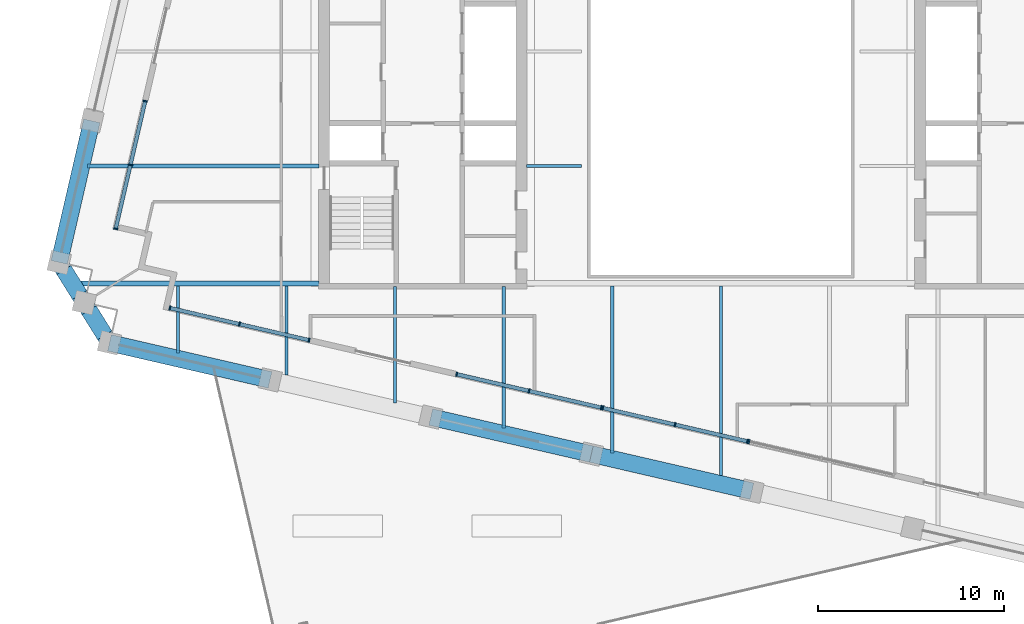
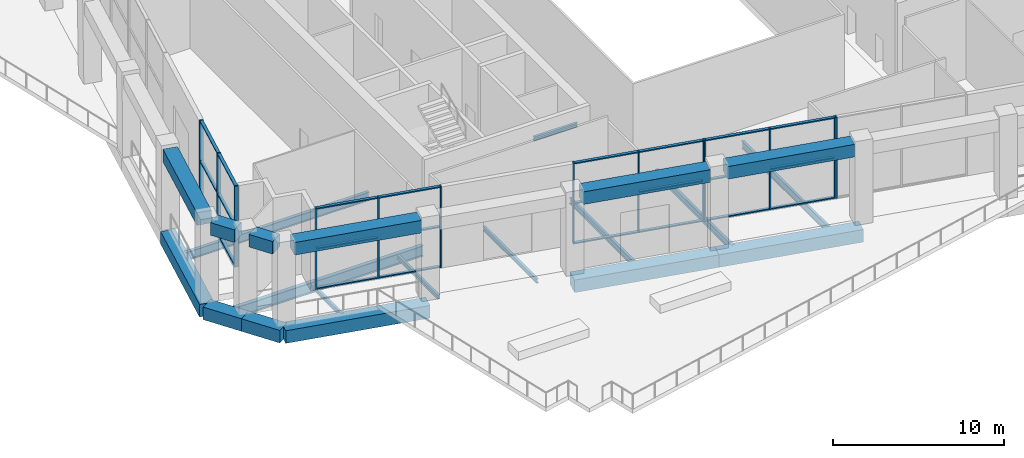
# One storey, part 2 of 21: 37 members, 21 beams, 5 elements without a shape of their own.
"""IFC4 building model written with IfcOpenShell, lengths in metres."""

from ifc_helpers import new_model, si_unit, direction, frame, origin, origin_2d, place, context, subcontext, project, spatial, rectangle, i_section, extrude, material, material_profile, profile_set, type_object, element, aggregate, save


model = new_model("IFC4")

# Units and contexts
model_context = context("Model", 3, precision=1e-05, world=origin(), true_north=direction((0.0, 1.0)))
body_context = subcontext(model_context, "Body", "Model", "MODEL_VIEW")
ifc_project = project(units=[si_unit("LENGTHUNIT", "METRE"), si_unit("AREAUNIT", "SQUARE_METRE"), si_unit("VOLUMEUNIT", "CUBIC_METRE"), si_unit("PLANEANGLEUNIT", "RADIAN"), si_unit("MASSUNIT", "GRAM", prefix="KILO")], contexts=[model_context])

# Site, building, storey
site_placement = place(None, origin())
site = spatial("IfcSite", under=ifc_project, at=site_placement, CompositionType="ELEMENT")
building_placement = place(site_placement, origin())
building = spatial("IfcBuilding", under=site, at=building_placement, Name="Ogive Exchange Tower", CompositionType="ELEMENT")
storey_placement = place(building_placement, frame((0.0, 0.0, 237.0)))
storey = spatial("IfcBuildingStorey", under=building, at=storey_placement, Name="L51", CompositionType="ELEMENT", Elevation=237.0)

# Beams
ifc_material_1 = material(Name="Steel ASTM A992 Gr50", Category="steel")
ifc_material_profile_1 = material_profile(ifc_material_1, i_section(OverallWidth=0.1650390625, OverallDepth=0.31005859375, WebThickness=0.005859375, FlangeThickness=0.009765625, at=origin_2d()), Name="W310x38.7")
ifc_profile_set_1 = profile_set([ifc_material_profile_1], Name="Steel ASTM A992 Gr50")
beam_type_1 = type_object("IfcBeamType", Name="Floor beam W310x38.7", PredefinedType="JOIST", material=ifc_profile_set_1)
beam_1_placement = place(storey_placement, frame((-10.419921875, 3.8583984375, -0.60498046875), z_axis=(1.0, 0.0, 0.0), x_axis=(0.0, 1.0, 0.0)))
element("IfcBeam", 1, at=beam_1_placement, inside=storey, type_object=beam_type_1, Name="Floor beam", PredefinedType="JOIST", context=body_context, shape_type="SweptSolid", body=[
    extrude(i_section(OverallWidth=0.1650390625, OverallDepth=0.31005859375, WebThickness=0.005859375, FlangeThickness=0.009765625, at=origin_2d()), origin(), (0.0, 0.0, 1.0), 2.949951171875),
])
beam_2_placement = place(storey_placement, frame((-29.14892578125, -6.17138671875, -0.60498046875), z_axis=(0.0, 1.0, 0.0), x_axis=(-1.0, 0.0, 0.0)))
element("IfcBeam", 2, at=beam_2_placement, inside=storey, type_object=beam_type_1, Name="Floor beam", PredefinedType="JOIST", context=body_context, shape_type="SweptSolid", body=[
    extrude(i_section(OverallWidth=0.1650390625, OverallDepth=0.31005859375, WebThickness=0.005859375, FlangeThickness=0.009765625, at=origin_2d()), origin(), (0.0, 0.0, 1.0), 3.5927734375),
])
beam_3_placement = place(storey_placement, frame((-23.319091796875, -7.3671875, -0.60498046875), z_axis=(0.0, 1.0, 0.0), x_axis=(-1.0, 0.0, 0.0)))
element("IfcBeam", 3, at=beam_3_placement, inside=storey, type_object=beam_type_1, Name="Floor beam", PredefinedType="JOIST", context=body_context, shape_type="SweptSolid", body=[
    extrude(i_section(OverallWidth=0.1650390625, OverallDepth=0.31005859375, WebThickness=0.005859375, FlangeThickness=0.009765625, at=origin_2d()), origin(), (0.0, 0.0, 1.0), 4.78857421875),
])
beam_4_placement = place(storey_placement, frame((-17.489501953125, -8.86328125, -0.60498046875), z_axis=(0.0, 1.0, 0.0), x_axis=(-1.0, 0.0, 0.0)))
element("IfcBeam", 4, at=beam_4_placement, inside=storey, type_object=beam_type_1, Name="Floor beam", PredefinedType="JOIST", context=body_context, shape_type="SweptSolid", body=[
    extrude(i_section(OverallWidth=0.1650390625, OverallDepth=0.31005859375, WebThickness=0.005859375, FlangeThickness=0.009765625, at=origin_2d()), origin(), (0.0, 0.0, 1.0), 6.26318359375),
])
ifc_material_profile_2 = material_profile(ifc_material_1, i_section(OverallWidth=0.177978515625, OverallDepth=0.406005859375, WebThickness=0.0078125, FlangeThickness=0.0126953125, at=origin_2d()), Name="W410x60")
ifc_profile_set_2 = profile_set([ifc_material_profile_2], Name="Steel ASTM A992 Gr50")
beam_type_2 = type_object("IfcBeamType", Name="Floor beam W410x60", PredefinedType="JOIST", material=ifc_profile_set_2)
beam_5_placement = place(storey_placement, frame((-11.65966796875, -10.208984375, -0.653076171875), z_axis=(0.0, 1.0, 0.0), x_axis=(-1.0, 0.0, 0.0)))
element("IfcBeam", 5, at=beam_5_placement, inside=storey, type_object=beam_type_2, Name="Floor beam", PredefinedType="JOIST", context=body_context, shape_type="SweptSolid", body=[
    extrude(i_section(OverallWidth=0.177978515625, OverallDepth=0.406005859375, WebThickness=0.0078125, FlangeThickness=0.0126953125, at=origin_2d()), origin(), (0.0, 0.0, 1.0), 7.60888671875),
])
ifc_material_profile_3 = material_profile(ifc_material_1, i_section(OverallWidth=0.19091796875, OverallDepth=0.45703125, WebThickness=0.009033203125, FlangeThickness=0.014404296875, at=origin_2d()), Name="W460x74")
ifc_profile_set_3 = profile_set([ifc_material_profile_3], Name="Steel ASTM A992 Gr50")
beam_type_3 = type_object("IfcBeamType", Name="Floor beam W460x74", PredefinedType="JOIST", material=ifc_profile_set_3)
beam_6_placement = place(storey_placement, frame((-5.829833984375, -11.554931640625, -0.678466796875), z_axis=(0.0, 1.0, 0.0), x_axis=(-1.0, 0.0, 0.0)))
element("IfcBeam", 6, at=beam_6_placement, inside=storey, type_object=beam_type_3, Name="Floor beam", PredefinedType="JOIST", context=body_context, shape_type="SweptSolid", body=[
    extrude(i_section(OverallWidth=0.19091796875, OverallDepth=0.45703125, WebThickness=0.009033203125, FlangeThickness=0.014404296875, at=origin_2d()), origin(), (0.0, 0.0, 1.0), 8.9599609375),
])
ifc_material_profile_4 = material_profile(ifc_material_1, i_section(OverallWidth=0.1669921875, OverallDepth=0.535888671875, WebThickness=0.01025390625, FlangeThickness=0.0166015625, at=origin_2d()), Name="W530x85")
ifc_profile_set_4 = profile_set([ifc_material_profile_4], Name="Steel ASTM A992 Gr50")
beam_type_4 = type_object("IfcBeamType", Name="Floor beam W530x85", PredefinedType="JOIST", material=ifc_profile_set_4)
beam_7_placement = place(storey_placement, frame((0.0, -12.7509765625, -0.718017578125), z_axis=(0.0, 1.0, 0.0), x_axis=(-1.0, 0.0, 0.0)))
element("IfcBeam", 7, at=beam_7_placement, inside=storey, type_object=beam_type_4, Name="Floor beam", PredefinedType="JOIST", context=body_context, shape_type="SweptSolid", body=[
    extrude(i_section(OverallWidth=0.1669921875, OverallDepth=0.535888671875, WebThickness=0.01025390625, FlangeThickness=0.0166015625, at=origin_2d()), origin(), (0.0, 0.0, 1.0), 10.156005859375),
])
ifc_material_profile_5 = material_profile(ifc_material_1, i_section(OverallWidth=0.22802734375, OverallDepth=0.60205078125, WebThickness=0.010498046875, FlangeThickness=0.014892578125, at=origin_2d()), Name="W610x101")
ifc_profile_set_5 = profile_set([ifc_material_profile_5], Name="Steel ASTM A992 Gr50")
beam_type_5 = type_object("IfcBeamType", Name="Floor beam W610x101", PredefinedType="JOIST", material=ifc_profile_set_5)
beam_8_placement = place(storey_placement, frame((-34.011474609375, 3.8583984375, -0.7509765625), z_axis=(1.0, 0.0, 0.0), x_axis=(0.0, 1.0, 0.0)))
element("IfcBeam", 8, at=beam_8_placement, inside=storey, type_object=beam_type_5, Name="Floor beam", PredefinedType="JOIST", context=body_context, shape_type="SweptSolid", body=[
    extrude(i_section(OverallWidth=0.22802734375, OverallDepth=0.60205078125, WebThickness=0.010498046875, FlangeThickness=0.014892578125, at=origin_2d()), origin(), (0.0, 0.0, 1.0), 12.431396484375),
])
ifc_material_profile_6 = material_profile(ifc_material_1, i_section(OverallWidth=0.26708984375, OverallDepth=0.75390625, WebThickness=0.01318359375, FlangeThickness=0.01708984375, at=origin_2d()), Name="W760x147")
ifc_profile_set_6 = profile_set([ifc_material_profile_6], Name="Steel ASTM A992 Gr50")
beam_type_6 = type_object("IfcBeamType", Name="Girder W760x147", PredefinedType="BEAM", material=ifc_profile_set_6)
beam_9_placement = place(storey_placement, frame((-34.43359375, -2.445068359375, -0.826904296875), z_axis=(1.0, 0.0, 0.0), x_axis=(0.0, 1.0, 0.0)))
element("IfcBeam", 9, at=beam_9_placement, inside=storey, type_object=beam_type_6, Name="Header girder", PredefinedType="BEAM", context=body_context, shape_type="SweptSolid", body=[
    extrude(i_section(OverallWidth=0.26708984375, OverallDepth=0.75390625, WebThickness=0.01318359375, FlangeThickness=0.01708984375, at=origin_2d()), origin(), (0.0, 0.0, 1.0), 12.853515625),
])
ifc_material_2 = material(Name="Precast concrete C70/85 (limestone faced)", Category="masonry")
ifc_material_profile_7 = material_profile(ifc_material_2, rectangle(XDim=0.89990234375, YDim=0.89990234375, at=origin_2d()), Name="900 x 900")
ifc_profile_set_7 = profile_set([ifc_material_profile_7], Name="Precast concrete C70/85 (limestone faced)")
beam_type_7 = type_object("IfcBeamType", Name="Precast spandrel 900 x 900 C70/85", PredefinedType="SPANDREL", material=ifc_profile_set_7)
for number, where, z_axis, x_axis, name in (
    (10, (-32.30419921875, -5.7548828125, 5.300048828125), (0.974374818602, -0.224930462307, 0.0), (0.224930462307, 0.974374818602, 0.0), "Spandrel 1"),
    (11, (-15.0576171875, -9.736328125, 5.300048828125), (0.974367949416, -0.224960216819, 0.0), (0.224960216819, 0.974367949416, 0.0), "Spandrel 3"),
    (12, (-6.4345703125, -11.727294921875, 5.300048828125), (0.974374818602, -0.224930462307, 0.0), (0.224930462307, 0.974374818602, 0.0), "Spandrel 4"),
):
    element("IfcBeam", number, at=place(storey_placement, frame(where, z_axis=z_axis, x_axis=x_axis)), inside=storey, type_object=beam_type_7, Name=name, PredefinedType="SPANDREL", context=body_context, shape_type="SweptSolid", body=[
        extrude(rectangle(XDim=0.89990234375, YDim=0.89990234375, at=origin_2d()), origin(), (0.0, 0.0, 1.0), 7.7900390625),
    ])
beam_10_placement = place(storey_placement, frame((-33.865478515625, 5.841552734375, 5.300048828125), z_axis=(-0.22495365579, -0.97436946419, 0.0), x_axis=(0.97436946419, -0.22495365579, 0.0)))
element("IfcBeam", 13, at=beam_10_placement, inside=storey, type_object=beam_type_7, Name="Spandrel 32", PredefinedType="SPANDREL", context=body_context, shape_type="SweptSolid", body=[
    extrude(rectangle(XDim=0.89990234375, YDim=0.89990234375, at=origin_2d()), origin(), (0.0, 0.0, 1.0), 6.81787109375),
])
for number, where, z_axis, x_axis, name in (
    (14, (-35.26513671875, -1.72314453125, 5.300048828125), (0.529902320601, -0.848058683477, 0.0), (0.848058683477, 0.529902320601, 0.0), "Spandrel 33"),
    (15, (-33.916259765625, -3.882080078125, 5.300048828125), (0.529902320601, -0.848058683477, 0.0), (0.848058683477, 0.529902320601, 0.0), "Spandrel 34"),
):
    element("IfcBeam", number, at=place(storey_placement, frame(where, z_axis=z_axis, x_axis=x_axis)), inside=storey, type_object=beam_type_7, Name=name, PredefinedType="SPANDREL", context=body_context, shape_type="SweptSolid", body=[
        extrude(rectangle(XDim=0.89990234375, YDim=0.89990234375, at=origin_2d()), origin(), (0.0, 0.0, 1.0), 1.590087890625),
    ])
ifc_material_profile_8 = material_profile(ifc_material_2, rectangle(XDim=0.89990234375, YDim=0.89990234375, at=origin_2d()), Name="900 x 900")
ifc_profile_set_8 = profile_set([ifc_material_profile_8], Name="Precast concrete C70/85 (limestone faced)")
beam_type_8 = type_object("IfcBeamType", Name="Precast transfer girder 900 x 900 C70/85", PredefinedType="BEAM", material=ifc_profile_set_8)
for number, where, z_axis, x_axis, name in (
    (16, (-32.820556640625, -5.635498046875, -0.89990234375), (0.974367013521, -0.224964270413, 0.0), (0.224964270413, 0.974367013521, 0.0), "Transfer girder 1"),
    (17, (-15.57421875, -9.6171875, -0.89990234375), (0.974373060008, -0.224938080216, 0.0), (0.224938080216, 0.974373060008, 0.0), "Transfer girder 3"),
):
    element("IfcBeam", number, at=place(storey_placement, frame(where, z_axis=z_axis, x_axis=x_axis)), inside=storey, type_object=beam_type_8, Name=name, PredefinedType="BEAM", context=body_context, shape_type="SweptSolid", body=[
        extrude(rectangle(XDim=0.89990234375, YDim=0.89990234375, at=origin_2d()), origin(), (0.0, 0.0, 1.0), 8.85009765625),
    ])
beam_11_placement = place(storey_placement, frame((-6.950927734375, -11.60791015625, -0.89990234375), z_axis=(0.974365617364, -0.224970317373, 0.0), x_axis=(0.224970317373, 0.974365617364, 0.0)))
element("IfcBeam", 18, at=beam_11_placement, inside=storey, type_object=beam_type_8, Name="Transfer girder 4", PredefinedType="BEAM", context=body_context, shape_type="SweptSolid", body=[
    extrude(rectangle(XDim=0.89990234375, YDim=0.89990234375, at=origin_2d()), origin(), (0.0, 0.0, 1.0), 8.849853515625),
])
beam_12_placement = place(storey_placement, frame((-33.763916015625, 6.281982421875, -0.89990234375), z_axis=(-0.224923513443, -0.974376422693, 0.0), x_axis=(0.974376422693, -0.224923513443, 0.0)))
element("IfcBeam", 19, at=beam_12_placement, inside=storey, type_object=beam_type_8, Name="Transfer girder 32", PredefinedType="BEAM", context=body_context, shape_type="SweptSolid", body=[
    extrude(rectangle(XDim=0.89990234375, YDim=0.89990234375, at=origin_2d()), origin(), (0.0, 0.0, 1.0), 7.800048828125),
])
for number, where, z_axis, x_axis, name in (
    (20, (-35.518310546875, -1.318115234375, -0.89990234375), (0.529912724405, -0.848052182659, 0.0), (0.848052182659, 0.529912724405, 0.0), "Transfer girder 33"),
    (21, (-34.16943359375, -3.476806640625, -0.89990234375), (0.529912724405, -0.848052182659, 0.0), (0.848052182659, 0.529912724405, 0.0), "Transfer girder 34"),
):
    element("IfcBeam", number, at=place(storey_placement, frame(where, z_axis=z_axis, x_axis=x_axis)), inside=storey, type_object=beam_type_8, Name=name, PredefinedType="BEAM", context=body_context, shape_type="SweptSolid", body=[
        extrude(rectangle(XDim=0.89990234375, YDim=0.89990234375, at=origin_2d()), origin(), (0.0, 0.0, 1.0), 2.54541015625),
    ])

# Curtain wall, members
ifc_material_3 = material(Name="Anodised aluminium and clear glass", Category="aluminium")
curtain_wall_type = type_object("IfcCurtainWallType", Name="Winter garden glazing", PredefinedType="NOTDEFINED", material=ifc_material_3)
curtain_wall_1_placement = place(storey_placement, origin())
curtain_wall_1 = element("IfcCurtainWall", 22, at=curtain_wall_1_placement, inside=storey, type_object=curtain_wall_type, Name="Winter garden glazing run G1", PredefinedType="NOTDEFINED")
ifc_material_4 = material(Name="Anodised aluminium", Category="aluminium")
ifc_material_profile_9 = material_profile(ifc_material_4, rectangle(XDim=0.239990234375, YDim=0.080078125, at=origin_2d()), Name="AL 80x240")
ifc_profile_set_9 = profile_set([ifc_material_profile_9], Name="Anodised aluminium")
member_type_1 = type_object("IfcMemberType", Name="Winter garden glazing mullion 80 x 240", PredefinedType="MULLION", material=ifc_profile_set_9)
member_1_placement = place(storey_placement, frame((-29.5771484375, -3.767333984375, 0.0), z_axis=(0.0, 0.0, 1.0), x_axis=(0.224953742238, 0.974369444232, 0.0)))
member_1 = element("IfcMember", 23, at=member_1_placement, type_object=member_type_1, Name="G1 mullion 1", PredefinedType="MULLION", context=body_context, shape_type="SweptSolid", body=[
    extrude(rectangle(XDim=0.239990234375, YDim=0.080078125, at=origin_2d()), origin(), (0.0, 0.0, 1.0), 5.800048828125),
])
member_2_placement = place(storey_placement, frame((-25.84033203125, -4.6298828125, 0.0), z_axis=(0.0, 0.0, 1.0), x_axis=(0.224953742238, 0.974369444232, 0.0)))
member_2 = element("IfcMember", 24, at=member_2_placement, type_object=member_type_1, Name="G1 mullion 2", PredefinedType="MULLION", context=body_context, shape_type="SweptSolid", body=[
    extrude(rectangle(XDim=0.239990234375, YDim=0.080078125, at=origin_2d()), origin(), (0.0, 0.0, 1.0), 5.800048828125),
])
member_3_placement = place(storey_placement, frame((-22.103759765625, -5.49267578125, 0.0), z_axis=(0.0, 0.0, 1.0), x_axis=(0.224953742238, 0.974369444232, 0.0)))
member_3 = element("IfcMember", 25, at=member_3_placement, type_object=member_type_1, Name="G1 mullion 3", PredefinedType="MULLION", context=body_context, shape_type="SweptSolid", body=[
    extrude(rectangle(XDim=0.239990234375, YDim=0.080078125, at=origin_2d()), origin(), (0.0, 0.0, 1.0), 5.800048828125),
])

curtain_wall_2_placement = place(storey_placement, origin())
curtain_wall_2 = element("IfcCurtainWall", 26, at=curtain_wall_2_placement, inside=storey, type_object=curtain_wall_type, Name="Winter garden glazing run G3", PredefinedType="NOTDEFINED")
member_4_placement = place(storey_placement, frame((-14.18212890625, -7.321533203125, 0.0), z_axis=(0.0, 0.0, 1.0), x_axis=(0.224958396731, 0.974368369632, 0.0)))
member_4 = element("IfcMember", 27, at=member_4_placement, type_object=member_type_1, Name="G3 mullion 1", PredefinedType="MULLION", context=body_context, shape_type="SweptSolid", body=[
    extrude(rectangle(XDim=0.239990234375, YDim=0.080078125, at=origin_2d()), origin(), (0.0, 0.0, 1.0), 5.800048828125),
])
member_5_placement = place(storey_placement, frame((-10.29931640625, -8.218017578125, 0.0), z_axis=(0.0, 0.0, 1.0), x_axis=(0.224958396731, 0.974368369632, 0.0)))
member_5 = element("IfcMember", 28, at=member_5_placement, type_object=member_type_1, Name="G3 mullion 2", PredefinedType="MULLION", context=body_context, shape_type="SweptSolid", body=[
    extrude(rectangle(XDim=0.239990234375, YDim=0.080078125, at=origin_2d()), origin(), (0.0, 0.0, 1.0), 5.800048828125),
])
member_6_placement = place(storey_placement, frame((-6.416259765625, -9.114501953125, 0.0), z_axis=(0.0, 0.0, 1.0), x_axis=(0.224958396731, 0.974368369632, 0.0)))
member_6 = element("IfcMember", 29, at=member_6_placement, type_object=member_type_1, Name="G3 mullion 3", PredefinedType="MULLION", context=body_context, shape_type="SweptSolid", body=[
    extrude(rectangle(XDim=0.239990234375, YDim=0.080078125, at=origin_2d()), origin(), (0.0, 0.0, 1.0), 5.800048828125),
])

curtain_wall_3_placement = place(storey_placement, origin())
curtain_wall_3 = element("IfcCurtainWall", 30, at=curtain_wall_3_placement, inside=storey, type_object=curtain_wall_type, Name="Winter garden glazing run G4", PredefinedType="NOTDEFINED")
member_7_placement = place(storey_placement, frame((-6.33837890625, -9.13232421875, 0.0), z_axis=(0.0, 0.0, 1.0), x_axis=(0.224943880116, 0.974371721058, 0.0)))
member_7 = element("IfcMember", 31, at=member_7_placement, type_object=member_type_1, Name="G4 mullion 1", PredefinedType="MULLION", context=body_context, shape_type="SweptSolid", body=[
    extrude(rectangle(XDim=0.239990234375, YDim=0.080078125, at=origin_2d()), origin(), (0.0, 0.0, 1.0), 5.800048828125),
])
member_8_placement = place(storey_placement, frame((-2.45556640625, -10.02880859375, 0.0), z_axis=(0.0, 0.0, 1.0), x_axis=(0.224943880116, 0.974371721058, 0.0)))
member_8 = element("IfcMember", 32, at=member_8_placement, type_object=member_type_1, Name="G4 mullion 2", PredefinedType="MULLION", context=body_context, shape_type="SweptSolid", body=[
    extrude(rectangle(XDim=0.239990234375, YDim=0.080078125, at=origin_2d()), origin(), (0.0, 0.0, 1.0), 5.800048828125),
])
member_9_placement = place(storey_placement, frame((1.42724609375, -10.92529296875, 0.0), z_axis=(0.0, 0.0, 1.0), x_axis=(0.224943880116, 0.974371721058, 0.0)))
member_9 = element("IfcMember", 33, at=member_9_placement, type_object=member_type_1, Name="G4 mullion 3", PredefinedType="MULLION", context=body_context, shape_type="SweptSolid", body=[
    extrude(rectangle(XDim=0.239990234375, YDim=0.080078125, at=origin_2d()), origin(), (0.0, 0.0, 1.0), 5.800048828125),
])

# Curtain wall, member
curtain_wall_4_placement = place(storey_placement, origin())
curtain_wall_4 = element("IfcCurtainWall", 34, at=curtain_wall_4_placement, inside=storey, type_object=curtain_wall_type, Name="Winter garden glazing run G5", PredefinedType="NOTDEFINED")
member_10_placement = place(storey_placement, frame((1.50537109375, -10.943115234375, 0.0), z_axis=(0.0, 0.0, 1.0), x_axis=(0.224955673842, 0.974368998279, 0.0)))
member_10 = element("IfcMember", 35, at=member_10_placement, type_object=member_type_1, Name="G5 mullion 1", PredefinedType="MULLION", context=body_context, shape_type="SweptSolid", body=[
    extrude(rectangle(XDim=0.239990234375, YDim=0.080078125, at=origin_2d()), origin(), (0.0, 0.0, 1.0), 5.800048828125),
])
aggregate(curtain_wall_4, [member_10])

# Curtain wall, members
curtain_wall_5_placement = place(storey_placement, origin())
curtain_wall_5 = element("IfcCurtainWall", 36, at=curtain_wall_5_placement, inside=storey, type_object=curtain_wall_type, Name="Winter garden glazing run G26", PredefinedType="NOTDEFINED")
member_11_placement = place(storey_placement, frame((-30.902587890625, 7.33984375, 0.0), z_axis=(0.0, 0.0, 1.0), x_axis=(0.974369396254, -0.224953950051, 0.0)))
member_11 = element("IfcMember", 37, at=member_11_placement, type_object=member_type_1, Name="G26 mullion 1", PredefinedType="MULLION", context=body_context, shape_type="SweptSolid", body=[
    extrude(rectangle(XDim=0.239990234375, YDim=0.080078125, at=origin_2d()), origin(), (0.0, 0.0, 1.0), 5.800048828125),
])
member_12_placement = place(storey_placement, frame((-31.693603515625, 3.912841796875, 0.0), z_axis=(0.0, 0.0, 1.0), x_axis=(0.974369396254, -0.224953950051, 0.0)))
member_12 = element("IfcMember", 38, at=member_12_placement, type_object=member_type_1, Name="G26 mullion 2", PredefinedType="MULLION", context=body_context, shape_type="SweptSolid", body=[
    extrude(rectangle(XDim=0.239990234375, YDim=0.080078125, at=origin_2d()), origin(), (0.0, 0.0, 1.0), 5.800048828125),
])
member_13_placement = place(storey_placement, frame((-32.48486328125, 0.48583984375, 0.0), z_axis=(0.0, 0.0, 1.0), x_axis=(0.974369396254, -0.224953950051, 0.0)))
member_13 = element("IfcMember", 39, at=member_13_placement, type_object=member_type_1, Name="G26 mullion 3", PredefinedType="MULLION", context=body_context, shape_type="SweptSolid", body=[
    extrude(rectangle(XDim=0.239990234375, YDim=0.080078125, at=origin_2d()), origin(), (0.0, 0.0, 1.0), 5.800048828125),
])

# Member
ifc_material_profile_10 = material_profile(ifc_material_4, rectangle(XDim=0.199951171875, YDim=0.080078125, at=origin_2d()), Name="AL 80x200")
ifc_profile_set_10 = profile_set([ifc_material_profile_10], Name="Anodised aluminium")
member_type_2 = type_object("IfcMemberType", Name="Winter garden glazing transom 80 x 200", PredefinedType="USERDEFINED", material=ifc_profile_set_10)
member_14_placement = place(storey_placement, frame((-29.5380859375, -3.7763671875, 0.0400390625), z_axis=(0.974367082115, -0.224963973316, 0.0), x_axis=(0.224963973316, 0.974367082115, 0.0)))
member_14 = element("IfcMember", 40, at=member_14_placement, type_object=member_type_2, Name="G1 transom 1.1", ObjectType="TRANSOM", PredefinedType="USERDEFINED", context=body_context, shape_type="SweptSolid", body=[
    extrude(rectangle(XDim=0.199951171875, YDim=0.080078125, at=origin_2d()), origin(), (0.0, 0.0, 1.0), 3.7548828125),
])

member_15_placement = place(storey_placement, frame((-29.5380859375, -3.7763671875, 2.89990234375), z_axis=(0.974367082115, -0.224963973316, 0.0), x_axis=(0.224963973316, 0.974367082115, 0.0)))
member_15 = element("IfcMember", 41, at=member_15_placement, type_object=member_type_2, Name="G1 transom 1.2", ObjectType="TRANSOM", PredefinedType="USERDEFINED", context=body_context, shape_type="SweptSolid", body=[
    extrude(rectangle(XDim=0.199951171875, YDim=0.080078125, at=origin_2d()), origin(), (0.0, 0.0, 1.0), 3.7548828125),
])

member_16_placement = place(storey_placement, frame((-29.5380859375, -3.7763671875, 5.760009765625), z_axis=(0.974367082115, -0.224963973316, 0.0), x_axis=(0.224963973316, 0.974367082115, 0.0)))
member_16 = element("IfcMember", 42, at=member_16_placement, type_object=member_type_2, Name="G1 transom 1.3", ObjectType="TRANSOM", PredefinedType="USERDEFINED", context=body_context, shape_type="SweptSolid", body=[
    extrude(rectangle(XDim=0.199951171875, YDim=0.080078125, at=origin_2d()), origin(), (0.0, 0.0, 1.0), 3.7548828125),
])

member_17_placement = place(storey_placement, frame((-25.801513671875, -4.638916015625, 0.0400390625), z_axis=(0.97437037231, -0.224949722305, 0.0), x_axis=(0.224949722305, 0.97437037231, 0.0)))
member_17 = element("IfcMember", 43, at=member_17_placement, type_object=member_type_2, Name="G1 transom 2.1", ObjectType="TRANSOM", PredefinedType="USERDEFINED", context=body_context, shape_type="SweptSolid", body=[
    extrude(rectangle(XDim=0.199951171875, YDim=0.080078125, at=origin_2d()), origin(), (0.0, 0.0, 1.0), 3.755126953125),
])

member_18_placement = place(storey_placement, frame((-25.801513671875, -4.638916015625, 2.89990234375), z_axis=(0.97437037231, -0.224949722305, 0.0), x_axis=(0.224949722305, 0.97437037231, 0.0)))
member_18 = element("IfcMember", 44, at=member_18_placement, type_object=member_type_2, Name="G1 transom 2.2", ObjectType="TRANSOM", PredefinedType="USERDEFINED", context=body_context, shape_type="SweptSolid", body=[
    extrude(rectangle(XDim=0.199951171875, YDim=0.080078125, at=origin_2d()), origin(), (0.0, 0.0, 1.0), 3.755126953125),
])

member_19_placement = place(storey_placement, frame((-25.801513671875, -4.638916015625, 5.760009765625), z_axis=(0.97437037231, -0.224949722305, 0.0), x_axis=(0.224949722305, 0.97437037231, 0.0)))
member_19 = element("IfcMember", 45, at=member_19_placement, type_object=member_type_2, Name="G1 transom 2.3", ObjectType="TRANSOM", PredefinedType="USERDEFINED", context=body_context, shape_type="SweptSolid", body=[
    extrude(rectangle(XDim=0.199951171875, YDim=0.080078125, at=origin_2d()), origin(), (0.0, 0.0, 1.0), 3.755126953125),
])

aggregate(curtain_wall_1, [member_1, member_2, member_3, member_14, member_15, member_16, member_17, member_18, member_19])

member_20_placement = place(storey_placement, frame((-14.14306640625, -7.33056640625, 0.0400390625), z_axis=(0.974371171445, -0.224946260819, 0.0), x_axis=(0.224946260819, 0.974371171445, 0.0)))
member_20 = element("IfcMember", 46, at=member_20_placement, type_object=member_type_2, Name="G3 transom 1.1", ObjectType="TRANSOM", PredefinedType="USERDEFINED", context=body_context, shape_type="SweptSolid", body=[
    extrude(rectangle(XDim=0.199951171875, YDim=0.080078125, at=origin_2d()), origin(), (0.0, 0.0, 1.0), 3.905029296875),
])

member_21_placement = place(storey_placement, frame((-14.14306640625, -7.33056640625, 2.89990234375), z_axis=(0.974371171445, -0.224946260819, 0.0), x_axis=(0.224946260819, 0.974371171445, 0.0)))
member_21 = element("IfcMember", 47, at=member_21_placement, type_object=member_type_2, Name="G3 transom 1.2", ObjectType="TRANSOM", PredefinedType="USERDEFINED", context=body_context, shape_type="SweptSolid", body=[
    extrude(rectangle(XDim=0.199951171875, YDim=0.080078125, at=origin_2d()), origin(), (0.0, 0.0, 1.0), 3.905029296875),
])

member_22_placement = place(storey_placement, frame((-14.14306640625, -7.33056640625, 5.760009765625), z_axis=(0.974371171445, -0.224946260819, 0.0), x_axis=(0.224946260819, 0.974371171445, 0.0)))
member_22 = element("IfcMember", 48, at=member_22_placement, type_object=member_type_2, Name="G3 transom 1.3", ObjectType="TRANSOM", PredefinedType="USERDEFINED", context=body_context, shape_type="SweptSolid", body=[
    extrude(rectangle(XDim=0.199951171875, YDim=0.080078125, at=origin_2d()), origin(), (0.0, 0.0, 1.0), 3.905029296875),
])

member_23_placement = place(storey_placement, frame((-10.26025390625, -8.22705078125, 0.0400390625), z_axis=(0.974371171445, -0.224946260819, 0.0), x_axis=(0.224946260819, 0.974371171445, 0.0)))
member_23 = element("IfcMember", 49, at=member_23_placement, type_object=member_type_2, Name="G3 transom 2.1", ObjectType="TRANSOM", PredefinedType="USERDEFINED", context=body_context, shape_type="SweptSolid", body=[
    extrude(rectangle(XDim=0.199951171875, YDim=0.080078125, at=origin_2d()), origin(), (0.0, 0.0, 1.0), 3.905029296875),
])

member_24_placement = place(storey_placement, frame((-10.26025390625, -8.22705078125, 2.89990234375), z_axis=(0.974371171445, -0.224946260819, 0.0), x_axis=(0.224946260819, 0.974371171445, 0.0)))
member_24 = element("IfcMember", 50, at=member_24_placement, type_object=member_type_2, Name="G3 transom 2.2", ObjectType="TRANSOM", PredefinedType="USERDEFINED", context=body_context, shape_type="SweptSolid", body=[
    extrude(rectangle(XDim=0.199951171875, YDim=0.080078125, at=origin_2d()), origin(), (0.0, 0.0, 1.0), 3.905029296875),
])

member_25_placement = place(storey_placement, frame((-10.26025390625, -8.22705078125, 5.760009765625), z_axis=(0.974371171445, -0.224946260819, 0.0), x_axis=(0.224946260819, 0.974371171445, 0.0)))
member_25 = element("IfcMember", 51, at=member_25_placement, type_object=member_type_2, Name="G3 transom 2.3", ObjectType="TRANSOM", PredefinedType="USERDEFINED", context=body_context, shape_type="SweptSolid", body=[
    extrude(rectangle(XDim=0.199951171875, YDim=0.080078125, at=origin_2d()), origin(), (0.0, 0.0, 1.0), 3.905029296875),
])

aggregate(curtain_wall_2, [member_4, member_5, member_6, member_20, member_21, member_22, member_23, member_24, member_25])

member_26_placement = place(storey_placement, frame((-6.299560546875, -9.141357421875, 0.0400390625), z_axis=(0.974371171445, -0.224946260819, 0.0), x_axis=(0.224946260819, 0.974371171445, 0.0)))
member_26 = element("IfcMember", 52, at=member_26_placement, type_object=member_type_2, Name="G4 transom 1.1", ObjectType="TRANSOM", PredefinedType="USERDEFINED", context=body_context, shape_type="SweptSolid", body=[
    extrude(rectangle(XDim=0.199951171875, YDim=0.080078125, at=origin_2d()), origin(), (0.0, 0.0, 1.0), 3.905029296875),
])

member_27_placement = place(storey_placement, frame((-6.299560546875, -9.141357421875, 2.89990234375), z_axis=(0.974371171445, -0.224946260819, 0.0), x_axis=(0.224946260819, 0.974371171445, 0.0)))
member_27 = element("IfcMember", 53, at=member_27_placement, type_object=member_type_2, Name="G4 transom 1.2", ObjectType="TRANSOM", PredefinedType="USERDEFINED", context=body_context, shape_type="SweptSolid", body=[
    extrude(rectangle(XDim=0.199951171875, YDim=0.080078125, at=origin_2d()), origin(), (0.0, 0.0, 1.0), 3.905029296875),
])

member_28_placement = place(storey_placement, frame((-6.299560546875, -9.141357421875, 5.760009765625), z_axis=(0.974371171445, -0.224946260819, 0.0), x_axis=(0.224946260819, 0.974371171445, 0.0)))
member_28 = element("IfcMember", 54, at=member_28_placement, type_object=member_type_2, Name="G4 transom 1.3", ObjectType="TRANSOM", PredefinedType="USERDEFINED", context=body_context, shape_type="SweptSolid", body=[
    extrude(rectangle(XDim=0.199951171875, YDim=0.080078125, at=origin_2d()), origin(), (0.0, 0.0, 1.0), 3.905029296875),
])

member_29_placement = place(storey_placement, frame((-2.41650390625, -10.037841796875, 0.0400390625), z_axis=(0.974371171445, -0.224946260819, 0.0), x_axis=(0.224946260819, 0.974371171445, 0.0)))
member_29 = element("IfcMember", 55, at=member_29_placement, type_object=member_type_2, Name="G4 transom 2.1", ObjectType="TRANSOM", PredefinedType="USERDEFINED", context=body_context, shape_type="SweptSolid", body=[
    extrude(rectangle(XDim=0.199951171875, YDim=0.080078125, at=origin_2d()), origin(), (0.0, 0.0, 1.0), 3.905029296875),
])

member_30_placement = place(storey_placement, frame((-2.41650390625, -10.037841796875, 2.89990234375), z_axis=(0.974371171445, -0.224946260819, 0.0), x_axis=(0.224946260819, 0.974371171445, 0.0)))
member_30 = element("IfcMember", 56, at=member_30_placement, type_object=member_type_2, Name="G4 transom 2.2", ObjectType="TRANSOM", PredefinedType="USERDEFINED", context=body_context, shape_type="SweptSolid", body=[
    extrude(rectangle(XDim=0.199951171875, YDim=0.080078125, at=origin_2d()), origin(), (0.0, 0.0, 1.0), 3.905029296875),
])

member_31_placement = place(storey_placement, frame((-2.41650390625, -10.037841796875, 5.760009765625), z_axis=(0.974371171445, -0.224946260819, 0.0), x_axis=(0.224946260819, 0.974371171445, 0.0)))
member_31 = element("IfcMember", 57, at=member_31_placement, type_object=member_type_2, Name="G4 transom 2.3", ObjectType="TRANSOM", PredefinedType="USERDEFINED", context=body_context, shape_type="SweptSolid", body=[
    extrude(rectangle(XDim=0.199951171875, YDim=0.080078125, at=origin_2d()), origin(), (0.0, 0.0, 1.0), 3.905029296875),
])

aggregate(curtain_wall_3, [member_7, member_8, member_9, member_26, member_27, member_28, member_29, member_30, member_31])

member_32_placement = place(storey_placement, frame((-30.911376953125, 7.30078125, 0.0400390625), z_axis=(-0.225015125886, -0.974355270485, 0.0), x_axis=(0.974355270485, -0.225015125886, 0.0)))
member_32 = element("IfcMember", 58, at=member_32_placement, type_object=member_type_2, Name="G26 transom 1.1", ObjectType="TRANSOM", PredefinedType="USERDEFINED", context=body_context, shape_type="SweptSolid", body=[
    extrude(rectangle(XDim=0.199951171875, YDim=0.080078125, at=origin_2d()), origin(), (0.0, 0.0, 1.0), 3.437255859375),
])

member_33_placement = place(storey_placement, frame((-30.911376953125, 7.30078125, 2.89990234375), z_axis=(-0.225015125886, -0.974355270485, 0.0), x_axis=(0.974355270485, -0.225015125886, 0.0)))
member_33 = element("IfcMember", 59, at=member_33_placement, type_object=member_type_2, Name="G26 transom 1.2", ObjectType="TRANSOM", PredefinedType="USERDEFINED", context=body_context, shape_type="SweptSolid", body=[
    extrude(rectangle(XDim=0.199951171875, YDim=0.080078125, at=origin_2d()), origin(), (0.0, 0.0, 1.0), 3.437255859375),
])

member_34_placement = place(storey_placement, frame((-30.911376953125, 7.30078125, 5.760009765625), z_axis=(-0.225015125886, -0.974355270485, 0.0), x_axis=(0.974355270485, -0.225015125886, 0.0)))
member_34 = element("IfcMember", 60, at=member_34_placement, type_object=member_type_2, Name="G26 transom 1.3", ObjectType="TRANSOM", PredefinedType="USERDEFINED", context=body_context, shape_type="SweptSolid", body=[
    extrude(rectangle(XDim=0.199951171875, YDim=0.080078125, at=origin_2d()), origin(), (0.0, 0.0, 1.0), 3.437255859375),
])

member_35_placement = place(storey_placement, frame((-31.70263671875, 3.873779296875, 0.0400390625), z_axis=(-0.224947693018, -0.974370840802, 0.0), x_axis=(0.974370840802, -0.224947693018, 0.0)))
member_35 = element("IfcMember", 61, at=member_35_placement, type_object=member_type_2, Name="G26 transom 2.1", ObjectType="TRANSOM", PredefinedType="USERDEFINED", context=body_context, shape_type="SweptSolid", body=[
    extrude(rectangle(XDim=0.199951171875, YDim=0.080078125, at=origin_2d()), origin(), (0.0, 0.0, 1.0), 3.437255859375),
])

member_36_placement = place(storey_placement, frame((-31.70263671875, 3.873779296875, 2.89990234375), z_axis=(-0.224947693018, -0.974370840802, 0.0), x_axis=(0.974370840802, -0.224947693018, 0.0)))
member_36 = element("IfcMember", 62, at=member_36_placement, type_object=member_type_2, Name="G26 transom 2.2", ObjectType="TRANSOM", PredefinedType="USERDEFINED", context=body_context, shape_type="SweptSolid", body=[
    extrude(rectangle(XDim=0.199951171875, YDim=0.080078125, at=origin_2d()), origin(), (0.0, 0.0, 1.0), 3.437255859375),
])

member_37_placement = place(storey_placement, frame((-31.70263671875, 3.873779296875, 5.760009765625), z_axis=(-0.224947693018, -0.974370840802, 0.0), x_axis=(0.974370840802, -0.224947693018, 0.0)))
member_37 = element("IfcMember", 63, at=member_37_placement, type_object=member_type_2, Name="G26 transom 2.3", ObjectType="TRANSOM", PredefinedType="USERDEFINED", context=body_context, shape_type="SweptSolid", body=[
    extrude(rectangle(XDim=0.199951171875, YDim=0.080078125, at=origin_2d()), origin(), (0.0, 0.0, 1.0), 3.437255859375),
])

aggregate(curtain_wall_5, [member_11, member_12, member_13, member_32, member_33, member_34, member_35, member_36, member_37])

save(model, "model.ifc")
